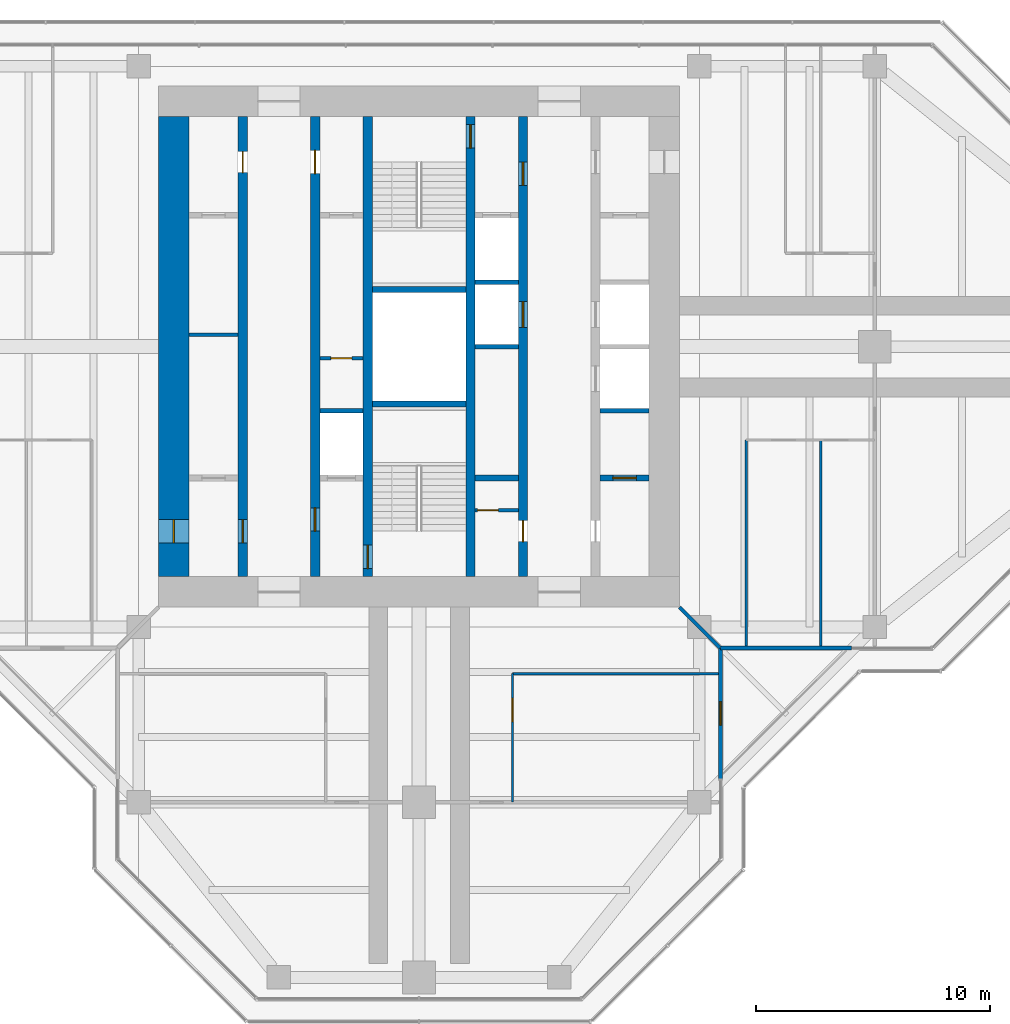
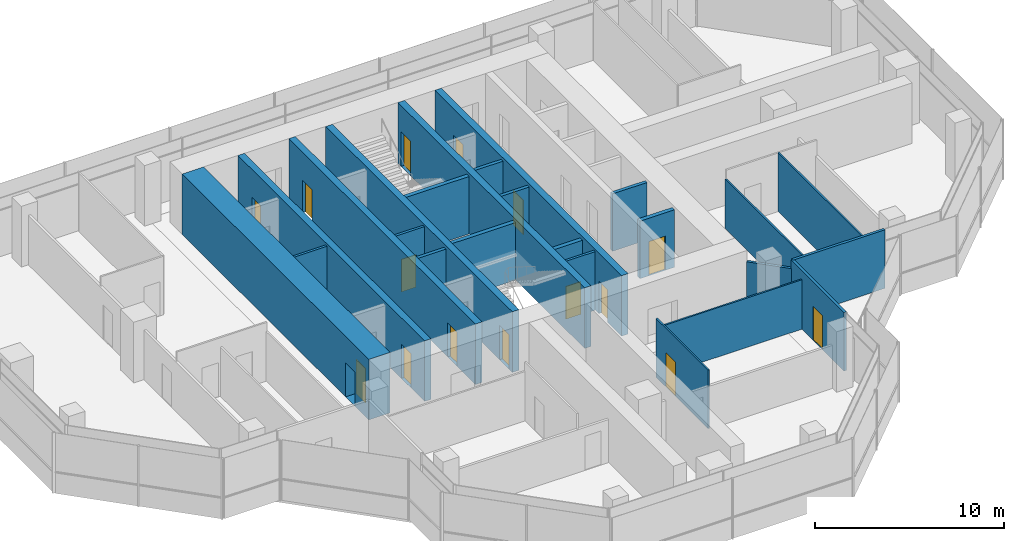
# One storey, part 12 of 16: 24 walls, 15 doors, 15 openings.
"""IFC4 building model written with IfcOpenShell, lengths in metres."""

from ifc_helpers import new_model, si_unit, direction, frame, frame_2d, origin, place, context, subcontext, project, spatial, rectangle, extrude, material, layer, layer_set, type_object, element, fill, save


model = new_model("IFC4")

# Units and contexts
model_context = context("Model", 3, precision=1e-05, world=origin(), true_north=direction((0.0, 1.0)))
body_context = subcontext(model_context, "Body", "Model", "MODEL_VIEW")
ifc_project = project(units=[si_unit("LENGTHUNIT", "METRE"), si_unit("AREAUNIT", "SQUARE_METRE"), si_unit("VOLUMEUNIT", "CUBIC_METRE"), si_unit("PLANEANGLEUNIT", "RADIAN"), si_unit("MASSUNIT", "GRAM", prefix="KILO")], contexts=[model_context])

# Site, building, storey
site_placement = place(None, origin())
site = spatial("IfcSite", under=ifc_project, at=site_placement, CompositionType="ELEMENT")
building_placement = place(site_placement, origin())
building = spatial("IfcBuilding", under=site, at=building_placement, Name="Mizan Broadcast Tower", CompositionType="ELEMENT")
storey_placement = place(building_placement, frame((0.0, 0.0, 290.699951171875)))
storey = spatial("IfcBuildingStorey", under=building, at=storey_placement, Name="L69", CompositionType="ELEMENT", Elevation=290.699951171875)

# Wall, openings, doors
ifc_material_1 = material(Name="Concrete C70/85", Category="concrete")
ifc_layer_1 = layer(ifc_material_1, 0.39990234375)
ifc_layer_set_1 = layer_set([ifc_layer_1], Name="Concrete C70/85")
wall_type_1 = type_object("IfcWallType", Name="CORE INTERNAL WALL 400", PredefinedType="SHEAR", material=ifc_layer_set_1)
wall_1_placement = place(storey_placement, frame((-7.550048828125, -9.85009765625, 0.0), z_axis=(0.0, 0.0, 1.0), x_axis=(0.0, 1.0, 0.0)))
wall_1 = element("IfcWall", 1, at=wall_1_placement, inside=storey, type_object=wall_type_1, Name="Core wall CORE/XW1", PredefinedType="SHEAR", context=body_context, shape_type="SweptSolid", body=[
    extrude(rectangle(XDim=19.7001953125, YDim=0.39990234375, at=frame_2d((9.85009765625, 0.0))), origin(), (0.0, 0.0, 1.0), 3.900146484375),
])
opening_1_placement = place(wall_1_placement, frame((1.449951171875, 0.0, 0.0)))
opening_1 = element("IfcOpeningElement", 2, at=opening_1_placement, cuts=wall_1, Name="Opening D10F", PredefinedType="OPENING", context=body_context, shape_type="SweptSolid", body=[
    extrude(rectangle(XDim=1.0, YDim=2.199951171875, at=frame_2d((0.5, 1.10009765625))), frame((0.0, 0.2099609375, 0.0), z_axis=(0.0, -1.0, 0.0), x_axis=(1.0, 0.0, 0.0)), (0.0, 0.0, 1.0), 0.419921875),
])
opening_2_placement = place(wall_1_placement, frame((17.300048828125, 0.0, 0.0)))
opening_2 = element("IfcOpeningElement", 3, at=opening_2_placement, cuts=wall_1, Name="Opening D09", PredefinedType="OPENING", context=body_context, shape_type="SweptSolid", body=[
    extrude(rectangle(XDim=0.89990234375, YDim=2.10009765625, at=frame_2d((0.449951171875, 1.050048828125))), frame((0.0, 0.2099609375, 0.0), z_axis=(0.0, -1.0, 0.0), x_axis=(1.0, 0.0, 0.0)), (0.0, 0.0, 1.0), 0.419921875),
])
ifc_material_2 = material(Name="Steel door leaf in steel frame", Category="steel")
door_type_1 = type_object("IfcDoorType", Name="FIRE DOOR 1000 FD90", OperationType="SINGLE_SWING_LEFT", PredefinedType="DOOR", material=ifc_material_2)
door_1_placement = place(opening_1_placement, origin())
door_1 = element("IfcDoor", 4, at=door_1_placement, inside=storey, type_object=door_type_1, Name="West core passage door", OperationType="SINGLE_SWING_LEFT", OverallHeight=2.199951171875, OverallWidth=1.0, PredefinedType="DOOR", context=body_context, shape_type="SweptSolid", body=[
    extrude(rectangle(XDim=1.0, YDim=2.199951171875, at=frame_2d((0.5, 1.10009765625))), frame((0.0, 0.02490234375, 0.0), z_axis=(0.0, -1.0, 0.0), x_axis=(1.0, 0.0, 0.0)), (0.0, 0.0, 1.0), 0.050048828125),
])
fill(opening_1, door_1)
ifc_material_3 = material(Name="Timber door leaf in aluminium frame", Category="wood")
door_type_2 = type_object("IfcDoorType", Name="TOILET DOOR 900", OperationType="SINGLE_SWING_LEFT", PredefinedType="DOOR", material=ifc_material_3)
door_2_placement = place(opening_2_placement, origin())
door_2 = element("IfcDoor", 5, at=door_2_placement, inside=storey, type_object=door_type_2, Name="Male WC door", OperationType="SINGLE_SWING_RIGHT", OverallHeight=2.10009765625, OverallWidth=0.89990234375, PredefinedType="DOOR", context=body_context, shape_type="SweptSolid", body=[
    extrude(rectangle(XDim=0.89990234375, YDim=2.10009765625, at=frame_2d((0.449951171875, 1.050048828125))), frame((0.0, 0.02490234375, 0.0), z_axis=(0.0, -1.0, 0.0), x_axis=(1.0, 0.0, 0.0)), (0.0, 0.0, 1.0), 0.050048828125),
])
fill(opening_2, door_2)

wall_2_placement = place(storey_placement, frame((-4.449951171875, -9.85009765625, 0.0), z_axis=(0.0, 0.0, 1.0), x_axis=(0.0, 1.0, 0.0)))
wall_2 = element("IfcWall", 6, at=wall_2_placement, inside=storey, type_object=wall_type_1, Name="Core wall CORE/XWH", PredefinedType="SHEAR", context=body_context, shape_type="SweptSolid", body=[
    extrude(rectangle(XDim=19.7001953125, YDim=0.39990234375, at=frame_2d((9.85009765625, 0.0))), origin(), (0.0, 0.0, 1.0), 3.900146484375),
])
opening_3_placement = place(wall_2_placement, frame((1.949951171875, 0.0, 0.0)))
opening_3 = element("IfcOpeningElement", 7, at=opening_3_placement, cuts=wall_2, Name="Opening D10F", PredefinedType="OPENING", context=body_context, shape_type="SweptSolid", body=[
    extrude(rectangle(XDim=1.0, YDim=2.199951171875, at=frame_2d((0.5, 1.10009765625))), frame((0.0, 0.2099609375, 0.0), z_axis=(0.0, -1.0, 0.0), x_axis=(1.0, 0.0, 0.0)), (0.0, 0.0, 1.0), 0.419921875),
])
opening_4_placement = place(wall_2_placement, frame((17.25, 0.0, 0.0)))
opening_4 = element("IfcOpeningElement", 8, at=opening_4_placement, cuts=wall_2, Name="Opening D10A", PredefinedType="OPENING", context=body_context, shape_type="SweptSolid", body=[
    extrude(rectangle(XDim=1.0, YDim=2.10009765625, at=frame_2d((0.5, 1.050048828125))), frame((0.0, 0.2099609375, 0.0), z_axis=(0.0, -1.0, 0.0), x_axis=(1.0, 0.0, 0.0)), (0.0, 0.0, 1.0), 0.419921875),
])
ifc_material_4 = material(Name="Timber door leaf in aluminium frame", Category="wood")
door_type_3 = type_object("IfcDoorType", Name="ACCESSIBLE WC DOOR 1000", OperationType="SLIDING_TO_LEFT", PredefinedType="DOOR", material=ifc_material_4)
door_3_placement = place(opening_4_placement, origin())
door_3 = element("IfcDoor", 9, at=door_3_placement, inside=storey, type_object=door_type_3, Name="Accessible WC door", OperationType="SLIDING_TO_LEFT", OverallHeight=2.10009765625, OverallWidth=1.0, PredefinedType="DOOR", context=body_context, shape_type="SweptSolid", body=[
    extrude(rectangle(XDim=1.0, YDim=2.10009765625, at=frame_2d((0.5, 1.050048828125))), frame((0.0, 0.02490234375, 0.0), z_axis=(0.0, -1.0, 0.0), x_axis=(1.0, 0.0, 0.0)), (0.0, 0.0, 1.0), 0.050048828125),
])
fill(opening_4, door_3)
door_4_placement = place(opening_3_placement, origin())
door_4 = element("IfcDoor", 10, at=door_4_placement, inside=storey, type_object=door_type_1, Name="Firefighting lobby A door", OperationType="SINGLE_SWING_LEFT", OverallHeight=2.199951171875, OverallWidth=1.0, PredefinedType="DOOR", context=body_context, shape_type="SweptSolid", body=[
    extrude(rectangle(XDim=1.0, YDim=2.199951171875, at=frame_2d((0.5, 1.10009765625))), frame((0.0, 0.02490234375, 0.0), z_axis=(0.0, -1.0, 0.0), x_axis=(1.0, 0.0, 0.0)), (0.0, 0.0, 1.0), 0.050048828125),
])
fill(opening_3, door_4)

wall_3_placement = place(storey_placement, frame((4.449951171875, 9.85009765625, 0.0), z_axis=(0.0, 0.0, 1.0), x_axis=(0.0, -1.0, 0.0)))
wall_3 = element("IfcWall", 11, at=wall_3_placement, inside=storey, type_object=wall_type_1, Name="Core wall CORE/XWHE", PredefinedType="SHEAR", context=body_context, shape_type="SweptSolid", body=[
    extrude(rectangle(XDim=19.7001953125, YDim=0.39990234375, at=frame_2d((9.85009765625, 0.0))), origin(), (0.0, 0.0, 1.0), 3.900146484375),
])
opening_5_placement = place(wall_3_placement, frame((1.949951171875, 0.0, 0.0)))
opening_5 = element("IfcOpeningElement", 12, at=opening_5_placement, cuts=wall_3, Name="Opening D10F", PredefinedType="OPENING", context=body_context, shape_type="SweptSolid", body=[
    extrude(rectangle(XDim=1.0, YDim=2.199951171875, at=frame_2d((0.5, 1.10009765625))), frame((0.0, 0.2099609375, 0.0), z_axis=(0.0, -1.0, 0.0), x_axis=(1.0, 0.0, 0.0)), (0.0, 0.0, 1.0), 0.419921875),
])
opening_6_placement = place(wall_3_placement, frame((17.300048828125, 0.0, 0.0)))
opening_6 = element("IfcOpeningElement", 13, at=opening_6_placement, cuts=wall_3, Name="Opening D09", PredefinedType="OPENING", context=body_context, shape_type="SweptSolid", body=[
    extrude(rectangle(XDim=0.89990234375, YDim=2.10009765625, at=frame_2d((0.449951171875, 1.050048828125))), frame((0.0, 0.2099609375, 0.0), z_axis=(0.0, -1.0, 0.0), x_axis=(1.0, 0.0, 0.0)), (0.0, 0.0, 1.0), 0.419921875),
])
opening_7_placement = place(wall_3_placement, frame((7.925048828125, 0.0, 0.0)))
opening_7 = element("IfcOpeningElement", 14, at=opening_7_placement, cuts=wall_3, Name="Opening LD", PredefinedType="OPENING", context=body_context, shape_type="SweptSolid", body=[
    extrude(rectangle(XDim=1.10009765625, YDim=2.199951171875, at=frame_2d((0.550048828125, 1.10009765625))), frame((0.0, 0.2099609375, 0.0), z_axis=(0.0, -1.0, 0.0), x_axis=(1.0, 0.0, 0.0)), (0.0, 0.0, 1.0), 0.419921875),
])
door_5_placement = place(opening_5_placement, origin())
door_5 = element("IfcDoor", 15, at=door_5_placement, inside=storey, type_object=door_type_1, Name="Firefighting lobby B door", OperationType="SINGLE_SWING_LEFT", OverallHeight=2.199951171875, OverallWidth=1.0, PredefinedType="DOOR", context=body_context, shape_type="SweptSolid", body=[
    extrude(rectangle(XDim=1.0, YDim=2.199951171875, at=frame_2d((0.5, 1.10009765625))), frame((0.0, 0.02490234375, 0.0), z_axis=(0.0, -1.0, 0.0), x_axis=(1.0, 0.0, 0.0)), (0.0, 0.0, 1.0), 0.050048828125),
])
fill(opening_5, door_5)
ifc_material_5 = material(Name="Steel door leaf in steel frame", Category="steel")
door_type_4 = type_object("IfcDoorType", Name="LIFT LANDING DOOR 1100", OperationType="SLIDING_TO_LEFT", PredefinedType="DOOR", material=ifc_material_5)
door_6_placement = place(opening_7_placement, origin())
door_6 = element("IfcDoor", 16, at=door_6_placement, inside=storey, type_object=door_type_4, Name="Landing door LD3", OperationType="SLIDING_TO_LEFT", OverallHeight=2.199951171875, OverallWidth=1.10009765625, PredefinedType="DOOR", context=body_context, shape_type="SweptSolid", body=[
    extrude(rectangle(XDim=1.10009765625, YDim=2.199951171875, at=frame_2d((0.550048828125, 1.10009765625))), frame((0.0, 0.02490234375, 0.0), z_axis=(0.0, -1.0, 0.0), x_axis=(1.0, 0.0, 0.0)), (0.0, 0.0, 1.0), 0.050048828125),
])
fill(opening_7, door_6)
door_7_placement = place(opening_6_placement, origin())
door_7 = element("IfcDoor", 17, at=door_7_placement, inside=storey, type_object=door_type_2, Name="Cleaner's store door", OperationType="SINGLE_SWING_RIGHT", OverallHeight=2.10009765625, OverallWidth=0.89990234375, PredefinedType="DOOR", context=body_context, shape_type="SweptSolid", body=[
    extrude(rectangle(XDim=0.89990234375, YDim=2.10009765625, at=frame_2d((0.449951171875, 1.050048828125))), frame((0.0, 0.02490234375, 0.0), z_axis=(0.0, -1.0, 0.0), x_axis=(1.0, 0.0, 0.0)), (0.0, 0.0, 1.0), 0.050048828125),
])
fill(opening_6, door_7)

# Wall, opening, door
wall_4_placement = place(storey_placement, frame((-2.199951171875, -9.85009765625, 0.0), z_axis=(0.0, 0.0, 1.0), x_axis=(0.0, 1.0, 0.0)))
wall_4 = element("IfcWall", 18, at=wall_4_placement, inside=storey, type_object=wall_type_1, Name="Core wall CORE/XW2", PredefinedType="SHEAR", context=body_context, shape_type="SweptSolid", body=[
    extrude(rectangle(XDim=19.7001953125, YDim=0.39990234375, at=frame_2d((9.85009765625, 0.0))), origin(), (0.0, 0.0, 1.0), 3.900146484375),
])
opening_8_placement = place(wall_4_placement, frame((0.35009765625, 0.0, 0.0)))
opening_8 = element("IfcOpeningElement", 19, at=opening_8_placement, cuts=wall_4, Name="Opening D10S", PredefinedType="OPENING", context=body_context, shape_type="SweptSolid", body=[
    extrude(rectangle(XDim=1.0, YDim=2.199951171875, at=frame_2d((0.5, 1.10009765625))), frame((0.0, 0.2099609375, 0.0), z_axis=(0.0, -1.0, 0.0), x_axis=(1.0, 0.0, 0.0)), (0.0, 0.0, 1.0), 0.419921875),
])
ifc_material_6 = material(Name="Steel door leaf in steel frame", Category="steel")
door_type_5 = type_object("IfcDoorType", Name="STAIR DOOR 1000 FD90S", OperationType="SINGLE_SWING_RIGHT", PredefinedType="DOOR", material=ifc_material_6)
door_8_placement = place(opening_8_placement, origin())
door_8 = element("IfcDoor", 20, at=door_8_placement, inside=storey, type_object=door_type_5, Name="Stair A door", OperationType="SINGLE_SWING_RIGHT", OverallHeight=2.199951171875, OverallWidth=1.0, PredefinedType="DOOR", context=body_context, shape_type="SweptSolid", body=[
    extrude(rectangle(XDim=1.0, YDim=2.199951171875, at=frame_2d((0.5, 1.10009765625))), frame((0.0, 0.02490234375, 0.0), z_axis=(0.0, -1.0, 0.0), x_axis=(1.0, 0.0, 0.0)), (0.0, 0.0, 1.0), 0.050048828125),
])
fill(opening_8, door_8)

wall_5_placement = place(storey_placement, frame((2.199951171875, 9.85009765625, 0.0), z_axis=(0.0, 0.0, 1.0), x_axis=(0.0, -1.0, 0.0)))
wall_5 = element("IfcWall", 21, at=wall_5_placement, inside=storey, type_object=wall_type_1, Name="Core wall CORE/XW2E", PredefinedType="SHEAR", context=body_context, shape_type="SweptSolid", body=[
    extrude(rectangle(XDim=19.7001953125, YDim=0.39990234375, at=frame_2d((9.85009765625, 0.0))), origin(), (0.0, 0.0, 1.0), 3.900146484375),
])
opening_9_placement = place(wall_5_placement, frame((0.35009765625, 0.0, 0.0)))
opening_9 = element("IfcOpeningElement", 22, at=opening_9_placement, cuts=wall_5, Name="Opening D10S", PredefinedType="OPENING", context=body_context, shape_type="SweptSolid", body=[
    extrude(rectangle(XDim=1.0, YDim=2.199951171875, at=frame_2d((0.5, 1.10009765625))), frame((0.0, 0.2099609375, 0.0), z_axis=(0.0, -1.0, 0.0), x_axis=(1.0, 0.0, 0.0)), (0.0, 0.0, 1.0), 0.419921875),
])
door_9_placement = place(opening_9_placement, origin())
door_9 = element("IfcDoor", 23, at=door_9_placement, inside=storey, type_object=door_type_5, Name="Stair B door", OperationType="SINGLE_SWING_RIGHT", OverallHeight=2.199951171875, OverallWidth=1.0, PredefinedType="DOOR", context=body_context, shape_type="SweptSolid", body=[
    extrude(rectangle(XDim=1.0, YDim=2.199951171875, at=frame_2d((0.5, 1.10009765625))), frame((0.0, 0.02490234375, 0.0), z_axis=(0.0, -1.0, 0.0), x_axis=(1.0, 0.0, 0.0)), (0.0, 0.0, 1.0), 0.050048828125),
])
fill(opening_9, door_9)

# Wall
ifc_material_7 = material(Name="Concrete blockwork", Category="masonry")
ifc_layer_2 = layer(ifc_material_7, 0.14990234375)
ifc_layer_set_2 = layer_set([ifc_layer_2], Name="Concrete blockwork")
wall_type_2 = type_object("IfcWallType", Name="CORE PARTITION 150", PredefinedType="SOLIDWALL", material=ifc_layer_set_2)
wall_6_placement = place(storey_placement, frame((-9.85009765625, 0.5, 0.0), z_axis=(0.0, 0.0, 1.0), x_axis=(1.0, 0.0, 0.0)))
element("IfcWall", 24, at=wall_6_placement, inside=storey, type_object=wall_type_2, Name="Core partition CORE/XP1", PredefinedType="SOLIDWALL", context=body_context, shape_type="SweptSolid", body=[
    extrude(rectangle(XDim=2.10009765625, YDim=0.14990234375, at=frame_2d((1.050048828125, 0.0))), origin(), (0.0, 0.0, 1.0), 3.77001953125),
])

# Wall, opening, door
wall_7_placement = place(storey_placement, frame((-4.25, -0.5, 0.0), z_axis=(0.0, 0.0, 1.0), x_axis=(1.0, 0.0, 0.0)))
wall_7 = element("IfcWall", 25, at=wall_7_placement, inside=storey, type_object=wall_type_2, Name="Core partition CORE/XP2", PredefinedType="SOLIDWALL", context=body_context, shape_type="SweptSolid", body=[
    extrude(rectangle(XDim=1.85009765625, YDim=0.14990234375, at=frame_2d((0.925048828125, 0.0))), origin(), (0.0, 0.0, 1.0), 3.77001953125),
])
opening_10_placement = place(wall_7_placement, frame((0.47509765625, 0.0, 0.0)))
opening_10 = element("IfcOpeningElement", 26, at=opening_10_placement, cuts=wall_7, Name="Opening D09F", PredefinedType="OPENING", context=body_context, shape_type="SweptSolid", body=[
    extrude(rectangle(XDim=0.89990234375, YDim=2.10009765625, at=frame_2d((0.449951171875, 1.050048828125))), frame((0.0, 0.0849609375, 0.0), z_axis=(0.0, -1.0, 0.0), x_axis=(1.0, 0.0, 0.0)), (0.0, 0.0, 1.0), 0.169921875),
])
ifc_material_8 = material(Name="Steel door leaf in steel frame", Category="steel")
door_type_6 = type_object("IfcDoorType", Name="CORE ROOM DOOR 900 FD90", OperationType="SINGLE_SWING_LEFT", PredefinedType="DOOR", material=ifc_material_8)
door_10_placement = place(opening_10_placement, origin())
door_10 = element("IfcDoor", 27, at=door_10_placement, inside=storey, type_object=door_type_6, Name="Staff shower room door", OperationType="SINGLE_SWING_RIGHT", OverallHeight=2.10009765625, OverallWidth=0.89990234375, PredefinedType="DOOR", context=body_context, shape_type="SweptSolid", body=[
    extrude(rectangle(XDim=0.89990234375, YDim=2.10009765625, at=frame_2d((0.449951171875, 1.050048828125))), frame((0.0, 0.02490234375, 0.0), z_axis=(0.0, -1.0, 0.0), x_axis=(1.0, 0.0, 0.0)), (0.0, 0.0, 1.0), 0.050048828125),
])
fill(opening_10, door_10)

wall_8_placement = place(storey_placement, frame((2.39990234375, -7.0, 0.0), z_axis=(0.0, 0.0, 1.0), x_axis=(1.0, 0.0, 0.0)))
wall_8 = element("IfcWall", 28, at=wall_8_placement, inside=storey, type_object=wall_type_2, Name="Core partition CORE/XPC", PredefinedType="SOLIDWALL", context=body_context, shape_type="SweptSolid", body=[
    extrude(rectangle(XDim=1.85009765625, YDim=0.14990234375, at=frame_2d((0.925048828125, 0.0))), origin(), (0.0, 0.0, 1.0), 3.77001953125),
])
opening_11_placement = place(wall_8_placement, frame((0.10009765625, 0.0, 0.0)))
opening_11 = element("IfcOpeningElement", 29, at=opening_11_placement, cuts=wall_8, Name="Opening D09F", PredefinedType="OPENING", context=body_context, shape_type="SweptSolid", body=[
    extrude(rectangle(XDim=0.89990234375, YDim=2.10009765625, at=frame_2d((0.449951171875, 1.050048828125))), frame((0.0, 0.0849609375, 0.0), z_axis=(0.0, -1.0, 0.0), x_axis=(1.0, 0.0, 0.0)), (0.0, 0.0, 1.0), 0.169921875),
])
door_11_placement = place(opening_11_placement, origin())
door_11 = element("IfcDoor", 30, at=door_11_placement, inside=storey, type_object=door_type_6, Name="Waste store door", OperationType="SINGLE_SWING_LEFT", OverallHeight=2.10009765625, OverallWidth=0.89990234375, PredefinedType="DOOR", context=body_context, shape_type="SweptSolid", body=[
    extrude(rectangle(XDim=0.89990234375, YDim=2.10009765625, at=frame_2d((0.449951171875, 1.050048828125))), frame((0.0, 0.02490234375, 0.0), z_axis=(0.0, -1.0, 0.0), x_axis=(1.0, 0.0, 0.0)), (0.0, 0.0, 1.0), 0.050048828125),
])
fill(opening_11, door_11)

ifc_material_9 = material(Name="Concrete C70/85", Category="concrete")
ifc_layer_3 = layer(ifc_material_9, 1.300048828125)
ifc_layer_set_3 = layer_set([ifc_layer_3], Name="Concrete C70/85")
wall_type_3 = type_object("IfcWallType", Name="CORE WALL 1300", PredefinedType="SHEAR", material=ifc_layer_set_3)
wall_9_placement = place(storey_placement, frame((-10.5, 9.85009765625, 0.0), z_axis=(0.0, 0.0, 1.0), x_axis=(0.0, -1.0, 0.0)))
wall_9 = element("IfcWall", 31, at=wall_9_placement, inside=storey, type_object=wall_type_3, Name="Core wall W L69", PredefinedType="SHEAR", context=body_context, shape_type="SweptSolid", body=[
    extrude(rectangle(XDim=19.7001953125, YDim=1.300048828125, at=frame_2d((9.85009765625, 0.0))), origin(), (0.0, 0.0, 1.0), 3.900146484375),
])
opening_12_placement = place(wall_9_placement, frame((17.25, 0.0, 0.0)))
opening_12 = element("IfcOpeningElement", 32, at=opening_12_placement, cuts=wall_9, Name="Opening D10F", PredefinedType="OPENING", context=body_context, shape_type="SweptSolid", body=[
    extrude(rectangle(XDim=1.0, YDim=2.199951171875, at=frame_2d((0.5, 1.10009765625))), frame((0.0, 0.659912109375, 0.0), z_axis=(0.0, -1.0, 0.0), x_axis=(1.0, 0.0, 0.0)), (0.0, 0.0, 1.0), 1.320068359375),
])
door_12_placement = place(opening_12_placement, origin())
door_12 = element("IfcDoor", 33, at=door_12_placement, inside=storey, type_object=door_type_1, Name="West core passage arm door", OperationType="SINGLE_SWING_RIGHT", OverallHeight=2.199951171875, OverallWidth=1.0, PredefinedType="DOOR", context=body_context, shape_type="SweptSolid", body=[
    extrude(rectangle(XDim=1.0, YDim=2.199951171875, at=frame_2d((0.5, 1.10009765625))), frame((0.0, 0.02490234375, 0.0), z_axis=(0.0, -1.0, 0.0), x_axis=(1.0, 0.0, 0.0)), (0.0, 0.0, 1.0), 0.050048828125),
])
fill(opening_12, door_12)

# Wall
ifc_material_10 = material(Name="Aluminium framed glazed screen", Category="aluminium")
ifc_layer_4 = layer(ifc_material_10, 0.159912109375)
ifc_layer_set_4 = layer_set([ifc_layer_4], Name="Aluminium framed glazed screen")
wall_type_4 = type_object("IfcWallType", Name="GLAZED SCREEN WALL 160", PredefinedType="SOLIDWALL", material=ifc_layer_set_4)
wall_10_placement = place(storey_placement, frame((12.89990234375, -12.89990234375, 0.0), z_axis=(0.0, 0.0, 1.0), x_axis=(1.0, 0.0, 0.0)))
element("IfcWall", 34, at=wall_10_placement, inside=storey, type_object=wall_type_4, Name="Winter garden screen L69 E", PredefinedType="SOLIDWALL", context=body_context, shape_type="SweptSolid", body=[
    extrude(rectangle(XDim=5.60009765625, YDim=0.159912109375, at=frame_2d((2.800048828125, 0.0))), origin(), (0.0, 0.0, 1.0), 3.77001953125),
])

# Wall, opening, door
wall_11_placement = place(storey_placement, frame((12.89990234375, -18.5, 0.0), z_axis=(0.0, 0.0, 1.0), x_axis=(0.0, 1.0, 0.0)))
wall_11 = element("IfcWall", 35, at=wall_11_placement, inside=storey, type_object=wall_type_4, Name="Winter garden screen L69 S", PredefinedType="SOLIDWALL", context=body_context, shape_type="SweptSolid", body=[
    extrude(rectangle(XDim=5.60009765625, YDim=0.159912109375, at=frame_2d((2.800048828125, 0.0))), origin(), (0.0, 0.0, 1.0), 3.77001953125),
])
opening_13_placement = place(wall_11_placement, frame((2.300048828125, 0.0, 0.0)))
opening_13 = element("IfcOpeningElement", 36, at=opening_13_placement, cuts=wall_11, Name="Opening WGD", PredefinedType="OPENING", context=body_context, shape_type="SweptSolid", body=[
    extrude(rectangle(XDim=1.0, YDim=2.199951171875, at=frame_2d((0.5, 1.10009765625))), frame((0.0, 0.08984375, 0.0), z_axis=(0.0, -1.0, 0.0), x_axis=(1.0, 0.0, 0.0)), (0.0, 0.0, 1.0), 0.179931640625),
])
ifc_material_11 = material(Name="Aluminium framed glazed door", Category="aluminium")
door_type_7 = type_object("IfcDoorType", Name="WINTER GARDEN DOOR 1000 GLAZED", OperationType="SINGLE_SWING_LEFT", PredefinedType="DOOR", material=ifc_material_11)
door_13_placement = place(opening_13_placement, origin())
door_13 = element("IfcDoor", 37, at=door_13_placement, inside=storey, type_object=door_type_7, Name="Winter garden door L69 S", OperationType="SINGLE_SWING_RIGHT", OverallHeight=2.199951171875, OverallWidth=1.0, PredefinedType="DOOR", context=body_context, shape_type="SweptSolid", body=[
    extrude(rectangle(XDim=1.0, YDim=2.199951171875, at=frame_2d((0.5, 1.10009765625))), frame((0.0, 0.02490234375, 0.0), z_axis=(0.0, -1.0, 0.0), x_axis=(1.0, 0.0, 0.0)), (0.0, 0.0, 1.0), 0.050048828125),
])
fill(opening_13, door_13)

# Walls
ifc_material_12 = material(Name="Concrete blockwork", Category="masonry")
ifc_layer_5 = layer(ifc_material_12, 0.199951171875)
ifc_layer_set_5 = layer_set([ifc_layer_5], Name="Concrete blockwork")
wall_type_5 = type_object("IfcWallType", Name="LIFT SHAFT WALL 200", PredefinedType="SOLIDWALL", material=ifc_layer_set_5)
wall_12_placement = place(storey_placement, frame((-4.25, -2.75, 0.0), z_axis=(0.0, 0.0, 1.0), x_axis=(1.0, 0.0, 0.0)))
element("IfcWall", 38, at=wall_12_placement, inside=storey, type_object=wall_type_5, Name="Lift shaft wall CORE/SW2-1", PredefinedType="SOLIDWALL", context=body_context, shape_type="SweptSolid", body=[
    extrude(rectangle(XDim=1.85009765625, YDim=0.199951171875, at=frame_2d((0.925048828125, 0.0))), origin(), (0.0, 0.0, 1.0), 3.699951171875),
])
wall_13_placement = place(storey_placement, frame((7.75, -2.75, 0.0), z_axis=(0.0, 0.0, 1.0), x_axis=(1.0, 0.0, 0.0)))
element("IfcWall", 39, at=wall_13_placement, inside=storey, type_object=wall_type_5, Name="Lift shaft wall CORE/SE1-1", PredefinedType="SOLIDWALL", context=body_context, shape_type="SweptSolid", body=[
    extrude(rectangle(XDim=2.10009765625, YDim=0.199951171875, at=frame_2d((1.050048828125, 0.0))), origin(), (0.0, 0.0, 1.0), 3.699951171875),
])
for number, where, z_axis, x_axis, name in (
    (40, (2.39990234375, 0.0, 0.0), (0.0, 0.0, 1.0), (1.0, 0.0, 0.0), "Lift shaft wall CORE/SE2-2"),
    (41, (2.39990234375, 2.75, 0.0), (0.0, 0.0, 1.0), (1.0, 0.0, 0.0), "Lift shaft wall CORE/SE2-3"),
):
    element("IfcWall", number, at=place(storey_placement, frame(where, z_axis=z_axis, x_axis=x_axis)), inside=storey, type_object=wall_type_5, Name=name, PredefinedType="SOLIDWALL", context=body_context, shape_type="SweptSolid", body=[
        extrude(rectangle(XDim=1.85009765625, YDim=0.199951171875, at=frame_2d((0.925048828125, 0.0))), origin(), (0.0, 0.0, 1.0), 3.699951171875),
    ])
ifc_material_13 = material(Name="Concrete blockwork", Category="masonry")
ifc_layer_6 = layer(ifc_material_13, 0.25)
ifc_layer_set_6 = layer_set([ifc_layer_6], Name="Concrete blockwork")
wall_type_6 = type_object("IfcWallType", Name="LOBBY ENCLOSURE WALL 250", PredefinedType="SOLIDWALL", material=ifc_layer_set_6)
wall_14_placement = place(storey_placement, frame((2.39990234375, -5.625, 0.0), z_axis=(0.0, 0.0, 1.0), x_axis=(1.0, 0.0, 0.0)))
element("IfcWall", 42, at=wall_14_placement, inside=storey, type_object=wall_type_6, Name="Lobby enclosure wall CORE/BE2S", PredefinedType="SOLIDWALL", context=body_context, shape_type="SweptSolid", body=[
    extrude(rectangle(XDim=1.85009765625, YDim=0.25, at=frame_2d((0.925048828125, 0.0))), origin(), (0.0, 0.0, 1.0), 3.699951171875),
])

# Wall, opening, door
wall_15_placement = place(storey_placement, frame((7.75, -5.625, 0.0), z_axis=(0.0, 0.0, 1.0), x_axis=(1.0, 0.0, 0.0)))
wall_15 = element("IfcWall", 43, at=wall_15_placement, inside=storey, type_object=wall_type_6, Name="Lobby enclosure wall CORE/BE1S", PredefinedType="SOLIDWALL", context=body_context, shape_type="SweptSolid", body=[
    extrude(rectangle(XDim=2.10009765625, YDim=0.25, at=frame_2d((1.050048828125, 0.0))), origin(), (0.0, 0.0, 1.0), 3.699951171875),
])
opening_14_placement = place(wall_15_placement, frame((0.550048828125, 0.0, 0.0)))
opening_14 = element("IfcOpeningElement", 44, at=opening_14_placement, cuts=wall_15, Name="Opening D10F", PredefinedType="OPENING", context=body_context, shape_type="SweptSolid", body=[
    extrude(rectangle(XDim=1.0, YDim=2.199951171875, at=frame_2d((0.5, 1.10009765625))), frame((0.0, 0.135009765625, 0.0), z_axis=(0.0, -1.0, 0.0), x_axis=(1.0, 0.0, 0.0)), (0.0, 0.0, 1.0), 0.27001953125),
])
door_14_placement = place(opening_14_placement, origin())
door_14 = element("IfcDoor", 45, at=door_14_placement, inside=storey, type_object=door_type_1, Name="Female staff shower room door", OperationType="SINGLE_SWING_LEFT", OverallHeight=2.199951171875, OverallWidth=1.0, PredefinedType="DOOR", context=body_context, shape_type="SweptSolid", body=[
    extrude(rectangle(XDim=1.0, YDim=2.199951171875, at=frame_2d((0.5, 1.10009765625))), frame((0.0, 0.02490234375, 0.0), z_axis=(0.0, -1.0, 0.0), x_axis=(1.0, 0.0, 0.0)), (0.0, 0.0, 1.0), 0.050048828125),
])
fill(opening_14, door_14)

# Walls
for number, where, z_axis, x_axis, name in (
    (46, (-2.0, -2.449951171875, 0.0), (0.0, 0.0, 1.0), (1.0, 0.0, 0.0), "Lobby enclosure wall CORE/STA"),
    (47, (-2.0, 2.449951171875, 0.0), (0.0, 0.0, 1.0), (1.0, 0.0, 0.0), "Lobby enclosure wall CORE/STB"),
):
    element("IfcWall", number, at=place(storey_placement, frame(where, z_axis=z_axis, x_axis=x_axis)), inside=storey, type_object=wall_type_6, Name=name, PredefinedType="SOLIDWALL", context=body_context, shape_type="SweptSolid", body=[
        extrude(rectangle(XDim=4.0, YDim=0.25, at=frame_2d((2.0, 0.0))), origin(), (0.0, 0.0, 1.0), 3.699951171875),
    ])
ifc_material_14 = material(Name="Gypsum board on steel studs", Category="steel")
ifc_layer_7 = layer(ifc_material_14, 0.14990234375)
ifc_layer_set_7 = layer_set([ifc_layer_7], Name="Gypsum board on steel studs")
wall_type_7 = type_object("IfcWallType", Name="PARTITION 150", PredefinedType="PARTITIONING", material=ifc_layer_set_7)
wall_16_placement = place(storey_placement, frame((11.14990234375, -11.14990234375, 0.0), z_axis=(0.0, 0.0, 1.0), x_axis=(0.707106781187, -0.707106781187, 0.0)))
element("IfcWall", 48, at=wall_16_placement, inside=storey, type_object=wall_type_7, Name="Partition PT/DGES", PredefinedType="PARTITIONING", context=body_context, shape_type="SweptSolid", body=[
    extrude(rectangle(XDim=2.460693359375, YDim=0.14990234375, at=frame_2d((1.23046875, 0.0))), origin(), (0.0, 0.0, 1.0), 3.219970703125),
])
ifc_material_15 = material(Name="Glazed aluminium partition on aluminium track", Category="aluminium")
ifc_layer_8 = layer(ifc_material_15, 0.10009765625)
ifc_layer_set_8 = layer_set([ifc_layer_8], Name="Glazed aluminium partition on aluminium track")
wall_type_8 = type_object("IfcWallType", Name="PARTITION GLAZED OFFICE FRONT 100", PredefinedType="PARTITIONING", material=ifc_layer_set_8)
wall_17_placement = place(storey_placement, frame((14.0, -4.0, 0.0), z_axis=(0.0, 0.0, 1.0), x_axis=(0.0, -1.0, 0.0)))
element("IfcWall", 49, at=wall_17_placement, inside=storey, type_object=wall_type_8, Name="Glazed office front PT/EQN1400", PredefinedType="PARTITIONING", context=body_context, shape_type="SweptSolid", body=[
    extrude(rectangle(XDim=8.820068359375, YDim=0.10009765625, at=frame_2d((4.41015625, 0.0))), origin(), (0.0, 0.0, 1.0), 3.179931640625),
])
wall_18_placement = place(storey_placement, frame((17.199951171875, -4.0, 0.0), z_axis=(0.0, 0.0, 1.0), x_axis=(0.0, -1.0, 0.0)))
element("IfcWall", 50, at=wall_18_placement, inside=storey, type_object=wall_type_8, Name="Glazed office front PT/EQN1720", PredefinedType="PARTITIONING", context=body_context, shape_type="SweptSolid", body=[
    extrude(rectangle(XDim=8.820068359375, YDim=0.10009765625, at=frame_2d((4.41015625, 0.0))), origin(), (0.0, 0.0, 1.0), 3.77001953125),
])

# Wall, opening, door
wall_19_placement = place(storey_placement, frame((4.0, -14.0, 0.0), z_axis=(0.0, 0.0, 1.0), x_axis=(0.0, -1.0, 0.0)))
wall_19 = element("IfcWall", 51, at=wall_19_placement, inside=storey, type_object=wall_type_8, Name="Glazed office front PT/SCP0", PredefinedType="PARTITIONING", context=body_context, shape_type="SweptSolid", body=[
    extrude(rectangle(XDim=5.5, YDim=0.10009765625, at=frame_2d((2.75, 0.0))), origin(), (0.0, 0.0, 1.0), 3.77001953125),
])
opening_15_placement = place(wall_19_placement, frame((1.050048828125, 0.0, 0.0)))
opening_15 = element("IfcOpeningElement", 52, at=opening_15_placement, cuts=wall_19, Name="Opening D10O", PredefinedType="OPENING", context=body_context, shape_type="SweptSolid", body=[
    extrude(rectangle(XDim=1.0, YDim=2.199951171875, at=frame_2d((0.5, 1.10009765625))), frame((0.0, 0.06005859375, 0.0), z_axis=(0.0, -1.0, 0.0), x_axis=(1.0, 0.0, 0.0)), (0.0, 0.0, 1.0), 0.1201171875),
])
ifc_material_16 = material(Name="Timber door leaf in aluminium frame", Category="wood")
door_type_8 = type_object("IfcDoorType", Name="OFFICE DOOR 1000 GLAZED", OperationType="SINGLE_SWING_LEFT", PredefinedType="DOOR", material=ifc_material_16)
door_15_placement = place(opening_15_placement, origin())
door_15 = element("IfcDoor", 53, at=door_15_placement, inside=storey, type_object=door_type_8, Name="Board lounge door", OperationType="SINGLE_SWING_LEFT", OverallHeight=2.199951171875, OverallWidth=1.0, PredefinedType="DOOR", context=body_context, shape_type="SweptSolid", body=[
    extrude(rectangle(XDim=1.0, YDim=2.199951171875, at=frame_2d((0.5, 1.10009765625))), frame((0.0, 0.02490234375, 0.0), z_axis=(0.0, -1.0, 0.0), x_axis=(1.0, 0.0, 0.0)), (0.0, 0.0, 1.0), 0.050048828125),
])
fill(opening_15, door_15)

# Wall
wall_20_placement = place(storey_placement, frame((4.0, -14.0, 0.0), z_axis=(0.0, 0.0, 1.0), x_axis=(1.0, 0.0, 0.0)))
element("IfcWall", 54, at=wall_20_placement, inside=storey, type_object=wall_type_8, Name="Glazed office front PT/SQP1400", PredefinedType="PARTITIONING", context=body_context, shape_type="SweptSolid", body=[
    extrude(rectangle(XDim=8.820068359375, YDim=0.10009765625, at=frame_2d((4.41015625, 0.0))), origin(), (0.0, 0.0, 1.0), 3.179931640625),
])

save(model, "model.ifc")
